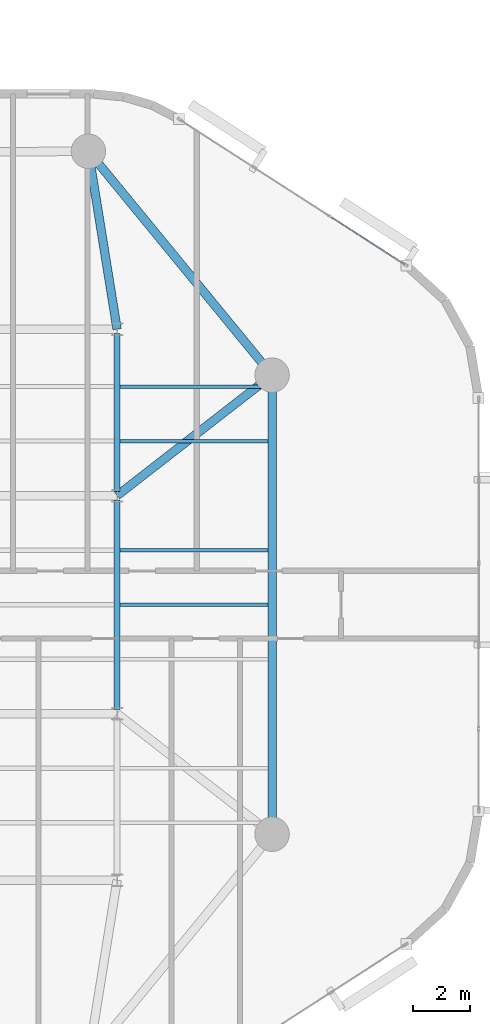
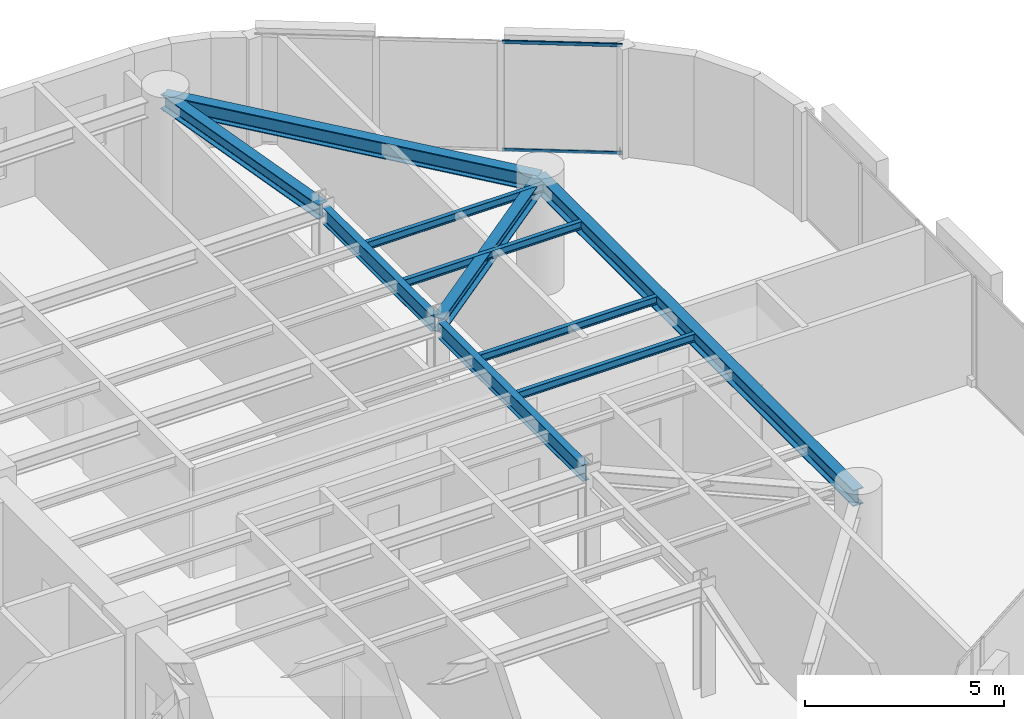
# One storey, part 4 of 15: 10 beams, 2 members, 1 element without a shape of its own.
"""IFC4 building model written with IfcOpenShell, lengths in metres."""

from ifc_helpers import new_model, si_unit, direction, frame, origin, origin_2d, place, context, subcontext, project, spatial, hollow_rectangle, i_section, extrude, material, layer, layer_set, material_profile, profile_set, type_object, element, aggregate, save


model = new_model("IFC4")

# Units and contexts
model_context = context("Model", 3, precision=1e-05, world=origin(), true_north=direction((0.0, 1.0)))
body_context = subcontext(model_context, "Body", "Model", "MODEL_VIEW")
ifc_project = project(units=[si_unit("LENGTHUNIT", "METRE"), si_unit("AREAUNIT", "SQUARE_METRE"), si_unit("VOLUMEUNIT", "CUBIC_METRE"), si_unit("PLANEANGLEUNIT", "RADIAN"), si_unit("MASSUNIT", "GRAM", prefix="KILO")], contexts=[model_context])

# Site, building, storey
site_placement = place(None, origin())
site = spatial("IfcSite", under=ifc_project, at=site_placement, CompositionType="ELEMENT")
building_placement = place(site_placement, origin())
building = spatial("IfcBuilding", under=site, at=building_placement, Name="An Khanh Terracotta Commons", CompositionType="ELEMENT")
storey_placement = place(building_placement, frame((0.0, 0.0, 187.0)))
storey = spatial("IfcBuildingStorey", under=building, at=storey_placement, Name="L49", CompositionType="ELEMENT", Elevation=187.0)

# Beams
ifc_material_1 = material(Name="Steel S355J2", Category="steel")
ifc_material_profile_1 = material_profile(ifc_material_1, i_section(OverallWidth=0.300048828125, OverallDepth=0.449951171875, WebThickness=0.013916015625, FlangeThickness=0.02587890625, FilletRadius=0.027099609375, at=origin_2d()), Name="HEB450")
ifc_profile_set_1 = profile_set([ifc_material_profile_1], Name="Steel S355J2")
beam_type_1 = type_object("IfcBeamType", Name="BM-HEB450", PredefinedType="BEAM", material=ifc_profile_set_1)
beam_1_placement = place(storey_placement, frame((55.800048828125, 32.0, 3.135009765625), z_axis=(-0.789363746927, -0.61392578952, 0.0), x_axis=(0.61392578952, -0.789363746927, 0.0)))
element("IfcBeam", 1, at=beam_1_placement, inside=storey, type_object=beam_type_1, Name="L49 Mega-Column Tie Girder 4", PredefinedType="BEAM", context=body_context, shape_type="SweptSolid", body=[
    extrude(i_section(OverallWidth=0.300048828125, OverallDepth=0.449951171875, WebThickness=0.013916015625, FlangeThickness=0.02587890625, FilletRadius=0.027099609375, at=origin_2d()), origin(), (0.0, 0.0, 1.0), 6.841064453125),
])
beam_2_placement = place(storey_placement, frame((49.39990234375, 39.800048828125, 3.135009765625), z_axis=(0.159233661074, -0.987240923575, 0.0), x_axis=(0.987240923575, 0.159233661074, 0.0)))
element("IfcBeam", 2, at=beam_2_placement, inside=storey, type_object=beam_type_1, Name="L49 Mega-Column Tie Girder 5", PredefinedType="BEAM", context=body_context, shape_type="SweptSolid", body=[
    extrude(i_section(OverallWidth=0.300048828125, OverallDepth=0.449951171875, WebThickness=0.013916015625, FlangeThickness=0.02587890625, FilletRadius=0.027099609375, at=origin_2d()), origin(), (0.0, 0.0, 1.0), 6.280029296875),
])
ifc_material_profile_2 = material_profile(ifc_material_1, i_section(OverallWidth=0.300048828125, OverallDepth=0.5, WebThickness=0.014404296875, FlangeThickness=0.028076171875, FilletRadius=0.027099609375, at=origin_2d()), Name="HEB500")
ifc_profile_set_2 = profile_set([ifc_material_profile_2], Name="Steel S355J2")
beam_type_2 = type_object("IfcBeamType", Name="BM-HEB500", PredefinedType="BEAM", material=ifc_profile_set_2)
beam_3_placement = place(storey_placement, frame((55.800048828125, 16.0, 3.110107421875), z_axis=(0.0, 1.0, 0.0), x_axis=(-1.0, 0.0, 0.0)))
element("IfcBeam", 3, at=beam_3_placement, inside=storey, type_object=beam_type_2, Name="L49 Perimeter Ring Spandrel 3", PredefinedType="BEAM", context=body_context, shape_type="SweptSolid", body=[
    extrude(i_section(OverallWidth=0.300048828125, OverallDepth=0.5, WebThickness=0.014404296875, FlangeThickness=0.028076171875, FilletRadius=0.027099609375, at=origin_2d()), origin(), (0.0, 0.0, 1.0), 16.0),
])
beam_4_placement = place(storey_placement, frame((55.800048828125, 32.0, 3.110107421875), z_axis=(-0.634322915223, 0.7730681983, 0.0), x_axis=(-0.7730681983, -0.634322915223, 0.0)))
element("IfcBeam", 4, at=beam_4_placement, inside=storey, type_object=beam_type_2, Name="L49 Perimeter Ring Spandrel 4", PredefinedType="BEAM", context=body_context, shape_type="SweptSolid", body=[
    extrude(i_section(OverallWidth=0.300048828125, OverallDepth=0.5, WebThickness=0.014404296875, FlangeThickness=0.028076171875, FilletRadius=0.027099609375, at=origin_2d()), origin(), (0.0, 0.0, 1.0), 10.08984375),
])
ifc_material_profile_3 = material_profile(ifc_material_1, i_section(OverallWidth=0.1201171875, OverallDepth=0.239990234375, WebThickness=0.006103515625, FlangeThickness=0.009765625, FilletRadius=0.014892578125, at=origin_2d()), Name="IPE240")
ifc_profile_set_3 = profile_set([ifc_material_profile_3], Name="Steel S355J2")
beam_type_3 = type_object("IfcBeamType", Name="BM-IPE240", PredefinedType="JOIST", material=ifc_profile_set_3)
for number, where, z_axis, x_axis, name in (
    (5, (50.5, 24.0, 3.239990234375), (1.0, 0.0, 0.0), (0.0, 1.0, 0.0), "L49 Riverfront Composite Joist 4"),
    (6, (50.5, 25.89990234375, 3.239990234375), (1.0, 0.0, 0.0), (0.0, 1.0, 0.0), "L49 Riverfront Composite Joist 5"),
    (7, (50.5, 29.699951171875, 3.239990234375), (1.0, 0.0, 0.0), (0.0, 1.0, 0.0), "L49 Riverfront Composite Joist 6"),
    (8, (50.5, 31.60009765625, 3.239990234375), (1.0, 0.0, 0.0), (0.0, 1.0, 0.0), "L49 Riverfront Composite Joist 7"),
):
    element("IfcBeam", number, at=place(storey_placement, frame(where, z_axis=z_axis, x_axis=x_axis)), inside=storey, type_object=beam_type_3, Name=name, PredefinedType="JOIST", context=body_context, shape_type="SweptSolid", body=[
        extrude(i_section(OverallWidth=0.1201171875, OverallDepth=0.239990234375, WebThickness=0.006103515625, FlangeThickness=0.009765625, FilletRadius=0.014892578125, at=origin_2d()), origin(), (0.0, 0.0, 1.0), 5.14990234375),
    ])
ifc_material_profile_4 = material_profile(ifc_material_1, i_section(OverallWidth=0.199951171875, OverallDepth=0.5, WebThickness=0.01025390625, FlangeThickness=0.01611328125, FilletRadius=0.02099609375, at=origin_2d()), Name="IPE500")
ifc_profile_set_4 = profile_set([ifc_material_profile_4], Name="Steel S355J2")
beam_type_4 = type_object("IfcBeamType", Name="BM-IPE500", PredefinedType="BEAM", material=ifc_profile_set_4)
beam_5_placement = place(storey_placement, frame((50.39990234375, 20.35009765625, 3.110107421875), z_axis=(0.0, 1.0, 0.0), x_axis=(-1.0, 0.0, 0.0)))
element("IfcBeam", 9, at=beam_5_placement, inside=storey, type_object=beam_type_4, Name="L49 East Spine Girder 2", PredefinedType="BEAM", context=body_context, shape_type="SweptSolid", body=[
    extrude(i_section(OverallWidth=0.199951171875, OverallDepth=0.5, WebThickness=0.01025390625, FlangeThickness=0.01611328125, FilletRadius=0.02099609375, at=origin_2d()), origin(), (0.0, 0.0, 1.0), 7.2998046875),
])
beam_6_placement = place(storey_placement, frame((50.39990234375, 27.949951171875, 3.110107421875), z_axis=(0.0, 1.0, 0.0), x_axis=(-1.0, 0.0, 0.0)))
element("IfcBeam", 10, at=beam_6_placement, inside=storey, type_object=beam_type_4, Name="L49 East Spine Girder 3", PredefinedType="BEAM", context=body_context, shape_type="SweptSolid", body=[
    extrude(i_section(OverallWidth=0.199951171875, OverallDepth=0.5, WebThickness=0.01025390625, FlangeThickness=0.01611328125, FilletRadius=0.02099609375, at=origin_2d()), origin(), (0.0, 0.0, 1.0), 5.5),
])

# Curtain wall, members
ifc_material_2 = material(Name="Anodised Aluminium 6063-T6", Category="aluminium")
ifc_layer = layer(ifc_material_2, 0.2099609375, Name="Anodised Aluminium 6063-T6")
ifc_layer_set = layer_set([ifc_layer], Name="Anodised Aluminium 6063-T6")
curtain_wall_type = type_object("IfcCurtainWallType", Name="CW-SYS-03", PredefinedType="USERDEFINED", material=ifc_layer_set)
curtain_wall_placement = place(storey_placement, origin())
curtain_wall = element("IfcCurtainWall", 11, at=curtain_wall_placement, inside=storey, type_object=curtain_wall_type, Name="L49 CW-03 Unitised Curtain Wall CW-L49-16", ObjectType="UNITISED CURTAIN WALL", PredefinedType="USERDEFINED")
ifc_material_profile_5 = material_profile(ifc_material_2, hollow_rectangle(XDim=0.050048828125, YDim=0.10009765625, WallThickness=0.003173828125, InnerFilletRadius=0.003173828125, OuterFilletRadius=0.00634765625, at=origin_2d()), Name="RHS100x50x3.2")
ifc_profile_set_5 = profile_set([ifc_material_profile_5], Name="Anodised Aluminium 6063-T6")
member_type = type_object("IfcMemberType", Name="CWT-RHS100x50x3.2", PredefinedType="USERDEFINED", material=ifc_profile_set_5)
member_1_placement = place(storey_placement, frame((60.419189453125, 35.86181640625, 0.02490234375), z_axis=(-0.840673595852, 0.541542154626, 0.0), x_axis=(-0.541542154626, -0.840673595852, 0.0)))
member_1 = element("IfcMember", 12, at=member_1_placement, type_object=member_type, Name="CW-03 transom 1.1", ObjectType="TRANSOM", PredefinedType="USERDEFINED", context=body_context, shape_type="SweptSolid", body=[
    extrude(hollow_rectangle(XDim=0.050048828125, YDim=0.10009765625, WallThickness=0.003173828125, InnerFilletRadius=0.003173828125, OuterFilletRadius=0.00634765625, at=origin_2d()), origin(), (0.0, 0.0, 1.0), 3.034423828125),
])
member_2_placement = place(storey_placement, frame((60.419189453125, 35.86181640625, 3.3349609375), z_axis=(-0.840673595852, 0.541542154626, 0.0), x_axis=(-0.541542154626, -0.840673595852, 0.0)))
member_2 = element("IfcMember", 13, at=member_2_placement, type_object=member_type, Name="CW-03 transom 1.2", ObjectType="TRANSOM", PredefinedType="USERDEFINED", context=body_context, shape_type="SweptSolid", body=[
    extrude(hollow_rectangle(XDim=0.050048828125, YDim=0.10009765625, WallThickness=0.003173828125, InnerFilletRadius=0.003173828125, OuterFilletRadius=0.00634765625, at=origin_2d()), origin(), (0.0, 0.0, 1.0), 3.034423828125),
])
aggregate(curtain_wall, [member_1, member_2])

save(model, "model.ifc")
